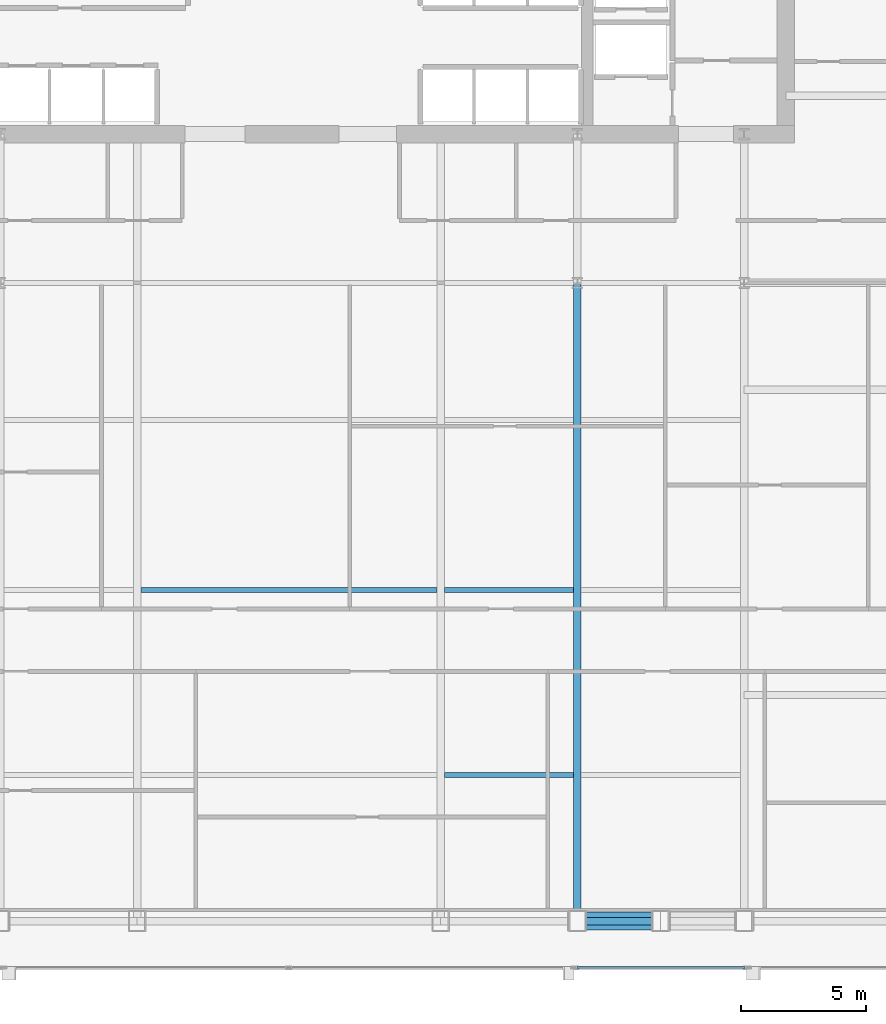
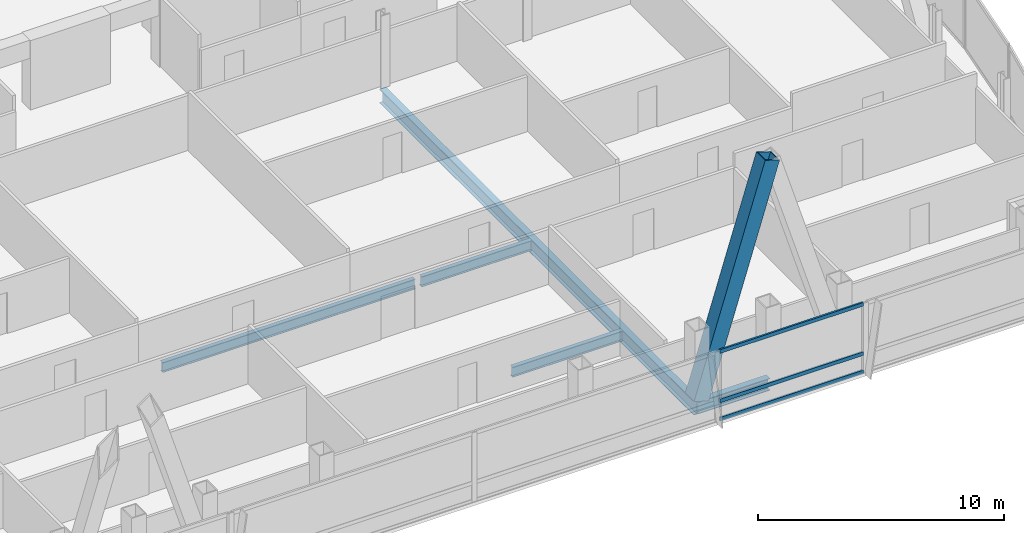
# One storey, part 14 of 30: 5 beams, 4 members, 1 element without a shape of its own.
"""IFC4 building model written with IfcOpenShell, lengths in metres."""

from ifc_helpers import new_model, si_unit, direction, frame, origin, origin_2d, place, context, subcontext, project, spatial, hollow_rectangle, i_section, extrude, material, material_profile, profile_set, type_object, element, aggregate, save


model = new_model("IFC4")

# Units and contexts
model_context = context("Model", 3, precision=1e-05, world=origin(), true_north=direction((0.0, 1.0)))
body_context = subcontext(model_context, "Body", "Model", "MODEL_VIEW")
ifc_project = project(units=[si_unit("LENGTHUNIT", "METRE"), si_unit("AREAUNIT", "SQUARE_METRE"), si_unit("VOLUMEUNIT", "CUBIC_METRE"), si_unit("PLANEANGLEUNIT", "RADIAN"), si_unit("MASSUNIT", "GRAM", prefix="KILO")], contexts=[model_context])

# Site, building, storey
site_placement = place(None, origin())
site = spatial("IfcSite", under=ifc_project, at=site_placement, CompositionType="ELEMENT")
building_placement = place(site_placement, origin())
building = spatial("IfcBuilding", under=site, at=building_placement, Name="Khoronbel Lancet Exchange", CompositionType="ELEMENT")
storey_placement = place(building_placement, frame((0.0, 0.0, 157.800048828125)))
storey = spatial("IfcBuildingStorey", under=building, at=storey_placement, Name="L39", CompositionType="ELEMENT", Elevation=157.800048828125)

# Beams
ifc_material_1 = material(Name="Steel S355", Category="steel")
ifc_material_profile_1 = material_profile(ifc_material_1, i_section(OverallWidth=0.300048828125, OverallDepth=0.699951171875, WebThickness=0.01708984375, FlangeThickness=0.031982421875, at=origin_2d()), Name="HEB 700")
ifc_profile_set_1 = profile_set([ifc_material_profile_1], Name="Steel S355")
beam_type_1 = type_object("IfcBeamType", Name="BM-BG3", PredefinedType="BEAM", material=ifc_profile_set_1)
beam_1_placement = place(storey_placement, frame((48.0, 10.14990234375, -0.510009765625), z_axis=(0.0, 1.0, 0.0), x_axis=(-1.0, 0.0, 0.0)))
element("IfcBeam", 1, at=beam_1_placement, inside=storey, type_object=beam_type_1, Name="Level L39 south primary girder GS5", PredefinedType="BEAM", context=body_context, shape_type="SweptSolid", body=[
    extrude(i_section(OverallWidth=0.300048828125, OverallDepth=0.699951171875, WebThickness=0.01708984375, FlangeThickness=0.031982421875, at=origin_2d()), origin(), (0.0, 0.0, 1.0), 25.550048828125),
])
ifc_material_profile_2 = material_profile(ifc_material_1, i_section(OverallWidth=0.199951171875, OverallDepth=0.5, WebThickness=0.01025390625, FlangeThickness=0.01611328125, at=origin_2d()), Name="IPE 500")
ifc_profile_set_2 = profile_set([ifc_material_profile_2], Name="Steel S355")
beam_type_2 = type_object("IfcBeamType", Name="BM-BJ3", PredefinedType="JOIST", material=ifc_profile_set_2)
beam_2_placement = place(storey_placement, frame((42.675048828125, 16.0, -0.41015625), z_axis=(1.0, 0.0, 0.0), x_axis=(0.0, 1.0, 0.0)))
element("IfcBeam", 2, at=beam_2_placement, inside=storey, type_object=beam_type_2, Name="Level L39 secondary composite joist J04", PredefinedType="JOIST", context=body_context, shape_type="SweptSolid", body=[
    extrude(i_section(OverallWidth=0.199951171875, OverallDepth=0.5, WebThickness=0.01025390625, FlangeThickness=0.01611328125, at=origin_2d()), origin(), (0.0, 0.0, 1.0), 5.175048828125),
])
beam_3_placement = place(storey_placement, frame((30.52490234375, 23.39990234375, -0.41015625), z_axis=(1.0, 0.0, 0.0), x_axis=(0.0, 1.0, 0.0)))
element("IfcBeam", 3, at=beam_3_placement, inside=storey, type_object=beam_type_2, Name="Level L39 secondary composite joist J08", PredefinedType="JOIST", context=body_context, shape_type="SweptSolid", body=[
    extrude(i_section(OverallWidth=0.199951171875, OverallDepth=0.5, WebThickness=0.01025390625, FlangeThickness=0.01611328125, at=origin_2d()), origin(), (0.0, 0.0, 1.0), 11.85009765625),
])
beam_4_placement = place(storey_placement, frame((42.675048828125, 23.39990234375, -0.41015625), z_axis=(1.0, 0.0, 0.0), x_axis=(0.0, 1.0, 0.0)))
element("IfcBeam", 4, at=beam_4_placement, inside=storey, type_object=beam_type_2, Name="Level L39 secondary composite joist J09", PredefinedType="JOIST", context=body_context, shape_type="SweptSolid", body=[
    extrude(i_section(OverallWidth=0.199951171875, OverallDepth=0.5, WebThickness=0.01025390625, FlangeThickness=0.01611328125, at=origin_2d()), origin(), (0.0, 0.0, 1.0), 5.175048828125),
])
ifc_material_profile_3 = material_profile(ifc_material_1, i_section(OverallWidth=0.300048828125, OverallDepth=0.60009765625, WebThickness=0.015380859375, FlangeThickness=0.030029296875, at=origin_2d()), Name="HEB 600")
ifc_profile_set_3 = profile_set([ifc_material_profile_3], Name="Steel S355")
beam_type_3 = type_object("IfcBeamType", Name="BM-BSP2", PredefinedType="SPANDREL", material=ifc_profile_set_3)
beam_5_placement = place(storey_placement, frame((48.0, 10.14990234375, -0.4599609375), z_axis=(1.0, 0.0, 0.0), x_axis=(0.0, 1.0, 0.0)))
element("IfcBeam", 5, at=beam_5_placement, inside=storey, type_object=beam_type_3, Name="Level L39 perimeter spandrel beam SP07", PredefinedType="SPANDREL", context=body_context, shape_type="SweptSolid", body=[
    extrude(i_section(OverallWidth=0.300048828125, OverallDepth=0.60009765625, WebThickness=0.015380859375, FlangeThickness=0.030029296875, at=origin_2d()), origin(), (0.0, 0.0, 1.0), 3.33740234375),
])

# Curtain wall, members
ifc_material_2 = material(Name="Low-E Solar Control Insulating Glass", Category="glass")
curtain_wall_type = type_object("IfcCurtainWallType", Name="CW-3", PredefinedType="NOTDEFINED", material=ifc_material_2)
curtain_wall_placement = place(storey_placement, origin())
curtain_wall = element("IfcCurtainWall", 6, at=curtain_wall_placement, inside=storey, type_object=curtain_wall_type, Name="Unitised curtain wall CW-L39-SEB", PredefinedType="NOTDEFINED")
ifc_material_3 = material(Name="Bronze-Anodised Aluminium 6063-T6", Category="aluminium")
ifc_material_profile_4 = material_profile(ifc_material_3, hollow_rectangle(XDim=0.0849609375, YDim=0.179931640625, WallThickness=0.0048828125, at=origin_2d()), Name="ALU TRANSOM 85x180")
ifc_profile_set_4 = profile_set([ifc_material_profile_4], Name="Bronze-Anodised Aluminium 6063-T6")
member_type_1 = type_object("IfcMemberType", Name="MEM-CWT1", PredefinedType="USERDEFINED", material=ifc_profile_set_4)
member_1_placement = place(storey_placement, frame((47.985107421875, 8.2900390625, 0.04248046875), z_axis=(1.0, 0.0, 0.0), x_axis=(0.0, 1.0, 0.0)))
member_1 = element("IfcMember", 7, at=member_1_placement, type_object=member_type_1, Name="CW3 transom 1.1", ObjectType="TRANSOM", PredefinedType="USERDEFINED", context=body_context, shape_type="SweptSolid", body=[
    extrude(hollow_rectangle(XDim=0.0849609375, YDim=0.179931640625, WallThickness=0.0048828125, at=origin_2d()), origin(), (0.0, 0.0, 1.0), 6.72998046875),
])
member_2_placement = place(storey_placement, frame((47.985107421875, 8.2900390625, 0.949951171875), z_axis=(1.0, 0.0, 0.0), x_axis=(0.0, 1.0, 0.0)))
member_2 = element("IfcMember", 8, at=member_2_placement, type_object=member_type_1, Name="CW3 transom 1.2", ObjectType="TRANSOM", PredefinedType="USERDEFINED", context=body_context, shape_type="SweptSolid", body=[
    extrude(hollow_rectangle(XDim=0.0849609375, YDim=0.179931640625, WallThickness=0.0048828125, at=origin_2d()), origin(), (0.0, 0.0, 1.0), 6.72998046875),
])
member_3_placement = place(storey_placement, frame((47.985107421875, 8.2900390625, 3.3974609375), z_axis=(1.0, 0.0, 0.0), x_axis=(0.0, 1.0, 0.0)))
member_3 = element("IfcMember", 9, at=member_3_placement, type_object=member_type_1, Name="CW3 transom 1.3", ObjectType="TRANSOM", PredefinedType="USERDEFINED", context=body_context, shape_type="SweptSolid", body=[
    extrude(hollow_rectangle(XDim=0.0849609375, YDim=0.179931640625, WallThickness=0.0048828125, at=origin_2d()), origin(), (0.0, 0.0, 1.0), 6.72998046875),
])
aggregate(curtain_wall, [member_1, member_2, member_3])

# Member
ifc_material_4 = material(Name="Steel S460", Category="steel")
ifc_material_profile_5 = material_profile(ifc_material_4, hollow_rectangle(XDim=0.719970703125, YDim=0.719970703125, WallThickness=0.050048828125, at=origin_2d()), Name="BOX 720x720x50")
ifc_profile_set_5 = profile_set([ifc_material_profile_5], Name="Steel S460")
member_type_2 = type_object("IfcMemberType", Name="MEM-MB2", PredefinedType="BRACE", material=ifc_profile_set_5)
member_4_placement = place(storey_placement, frame((48.0, 10.14990234375, 0.0), z_axis=(0.295242108906, 0.0, 0.955422470496), x_axis=(0.0, 1.0, 0.0)))
element("IfcMember", 10, at=member_4_placement, inside=storey, type_object=member_type_2, Name="Perimeter lancet brace tier 13 S-E-L", PredefinedType="BRACE", context=body_context, shape_type="SweptSolid", body=[
    extrude(hollow_rectangle(XDim=0.719970703125, YDim=0.719970703125, WallThickness=0.050048828125, at=origin_2d()), origin(), (0.0, 0.0, 1.0), 11.303955078125),
])

save(model, "model.ifc")
